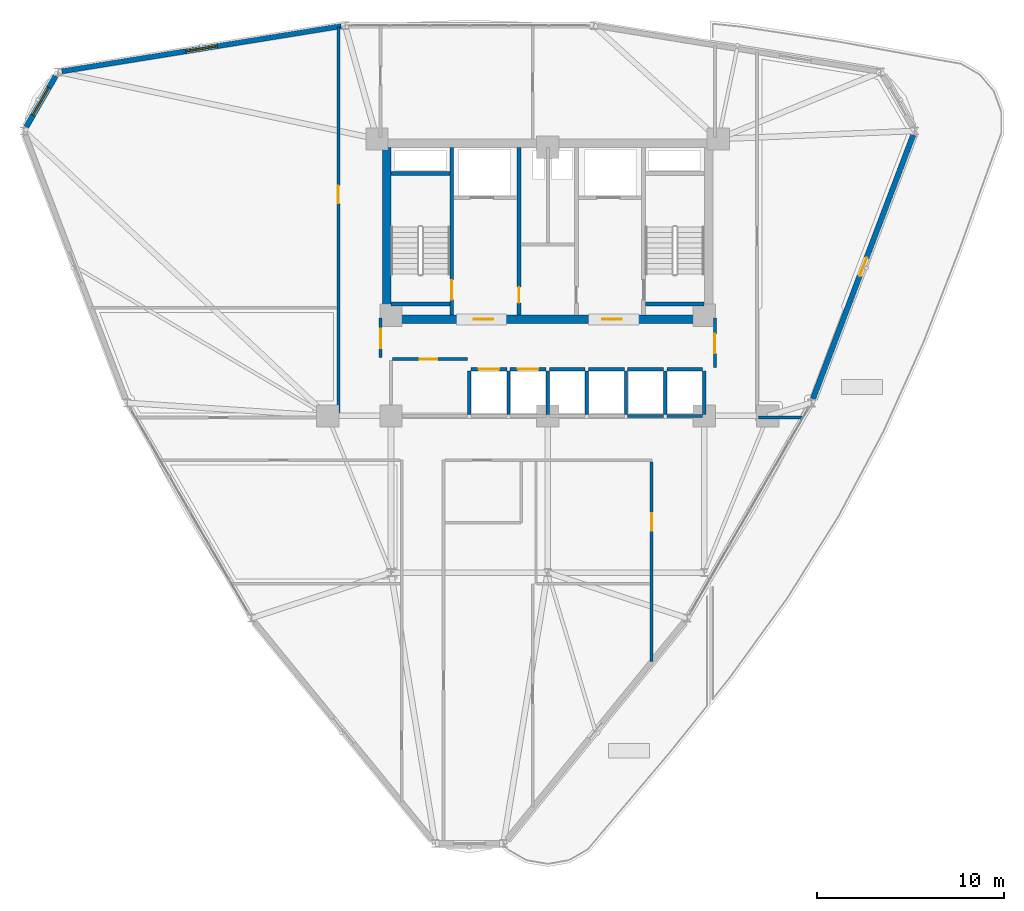
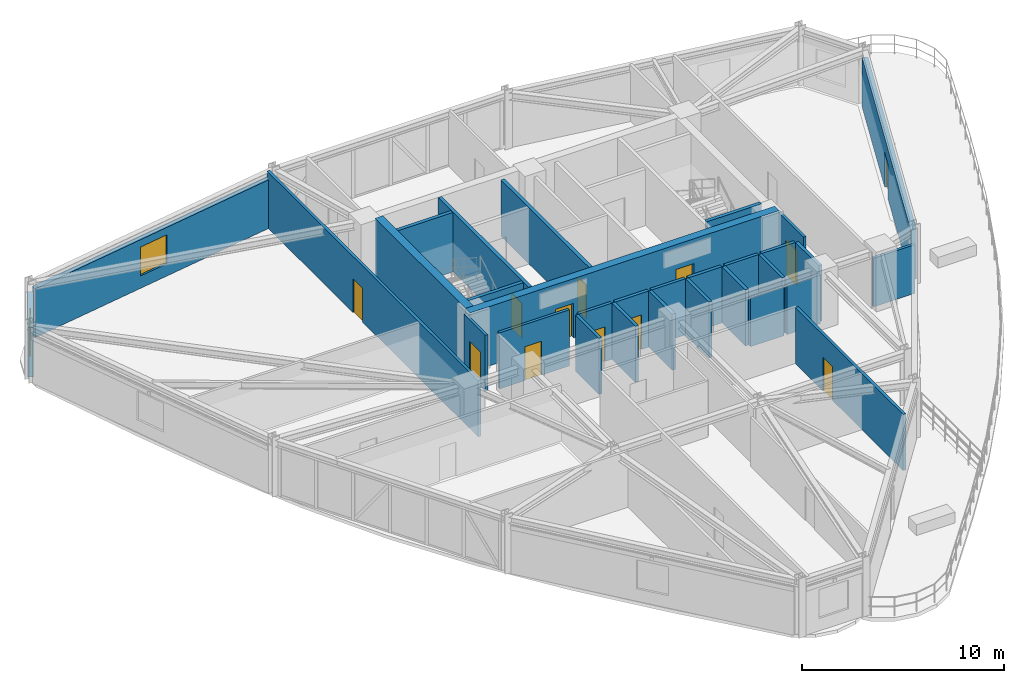
# One storey, part 13 of 18: 31 walls, 12 doors, 2 windows, 14 openings.
"""IFC4 building model written with IfcOpenShell, lengths in metres."""

import ifcopenshell
import ifcopenshell.guid

model = None  # the IFC model being written
_history = None  # IfcOwnerHistory: only IFC2X3 demands one
_inside = {}  # id of a spatial element -> (the spatial element, [elements in it])
_under = {}  # id of a project, library or spatial element -> (it, [spatial elements below it])
_declared = {}  # id of a project -> (the project, [libraries it declares])
_typed = {}  # id of a type object -> (the type object, [elements of that type])
_made_of = {}  # id of a material, layer set ... -> (it, [elements and type objects made of it])


def new_model(schema):
    """Start an empty IFC model of exactly this schema.

    Asked for "IFC4X3", IfcOpenShell would pick the latest addendum, in which some entities
    have other attributes; the version numbers below select the first issue.
    IFC2X3 requires an IfcOwnerHistory on every rooted entity: one is made here for all.
    """
    global model, _history
    if schema == "IFC4X3":
        model = ifcopenshell.file(schema_version=(4, 3, 0, 0))
    else:
        model = ifcopenshell.file(schema=schema)
    _inside.clear()
    _under.clear()
    _declared.clear()
    _typed.clear()
    _made_of.clear()
    _history = None
    if model.schema == "IFC2X3":
        org = make("IfcOrganization", Name="unknown")
        user = make(
            "IfcPersonAndOrganization",
            ThePerson=make("IfcPerson", FamilyName="unknown"),
            TheOrganization=org,
        )
        app = make(
            "IfcApplication",
            ApplicationDeveloper=org,
            Version="unknown",
            ApplicationFullName="unknown",
            ApplicationIdentifier="unknown",
        )
        _history = make(
            "IfcOwnerHistory",
            OwningUser=user,
            OwningApplication=app,
            ChangeAction="ADDED",
            CreationDate=0,
        )
    return model


def make(cls, **values):
    """One entity of the class cls with the attributes given. An attribute that is None is left unset."""
    return model.create_entity(
        cls, **{name: value for name, value in values.items() if value is not None}
    )


def rooted(cls, **values):
    """An entity with a GlobalId (a new one), such as an element, a storey or a relation."""
    return make(cls, GlobalId=ifcopenshell.guid.new(), OwnerHistory=_history, **values)


def si_unit(unit_type, name, prefix=None):
    """IfcSIUnit, for example si_unit("LENGTHUNIT", "METRE", prefix="MILLI")."""
    return make("IfcSIUnit", UnitType=unit_type, Prefix=prefix, Name=name)


def derived_unit(unit_type, elements):
    """IfcDerivedUnit: a product of units, each with its exponent."""
    return make(
        "IfcDerivedUnit",
        Elements=[
            make("IfcDerivedUnitElement", Unit=unit, Exponent=power)
            for unit, power in elements
        ],
        UnitType=unit_type,
    )


def assignment(units):
    """IfcUnitAssignment: the units of a project."""
    return None if units is None else make("IfcUnitAssignment", Units=units)


def point(xyz):
    """IfcCartesianPoint."""
    return None if xyz is None else make("IfcCartesianPoint", Coordinates=xyz)


def direction(xyz):
    """IfcDirection."""
    return None if xyz is None else make("IfcDirection", DirectionRatios=xyz)


def frame(location, z_axis=None, x_axis=None):
    """IfcAxis2Placement3D, a coordinate frame: its origin and axes. An axis left out is left unset."""
    return make(
        "IfcAxis2Placement3D",
        Location=point(location),
        Axis=direction(z_axis),
        RefDirection=direction(x_axis),
    )


def frame_2d(location, x_axis=None):
    """IfcAxis2Placement2D, a coordinate frame in the plane: its origin and x axis."""
    return make(
        "IfcAxis2Placement2D", Location=point(location), RefDirection=direction(x_axis)
    )


def origin():
    """The frame at (0, 0, 0) with its axes left unset."""
    return frame((0.0, 0.0, 0.0))


def place(relative_to, where):
    """IfcLocalPlacement: puts the frame where relative to a parent placement (None: the world)."""
    return make(
        "IfcLocalPlacement", PlacementRelTo=relative_to, RelativePlacement=where
    )


def context(
    kind, dimensions, precision=None, world=None, true_north=None, identifier=None
):
    """IfcGeometricRepresentationContext, for example the 3D "Model" context."""
    return make(
        "IfcGeometricRepresentationContext",
        ContextIdentifier=identifier,
        ContextType=kind,
        CoordinateSpaceDimension=dimensions,
        Precision=precision,
        WorldCoordinateSystem=world,
        TrueNorth=true_north,
    )


def subcontext(parent, identifier, kind, view, scale=None):
    """IfcGeometricRepresentationSubContext, for example "Body" below "Model"."""
    return make(
        "IfcGeometricRepresentationSubContext",
        ContextIdentifier=identifier,
        ContextType=kind,
        ParentContext=parent,
        TargetScale=scale,
        TargetView=view,
    )


def project(units=None, contexts=None):
    """IfcProject with its units and contexts."""
    return rooted(
        "IfcProject",
        Name="project",
        RepresentationContexts=contexts,
        UnitsInContext=assignment(units),
    )


def spatial(cls, under=None, at=None, **own):
    """A site, building, storey or space (cls), placed at a placement, below another one or the project."""
    s = rooted(cls, ObjectPlacement=at, **own)
    if under is not None:
        _under.setdefault(under.id(), (under, []))[1].append(s)
    return s


def profile(cls, at=None, kind="AREA", **sizes):
    """A parametric profile (cls). Its sizes go by their IFC names, for example OverallWidth=200.0."""
    return make(cls, ProfileType=kind, Position=at, **sizes)


def rectangle(**sizes):
    """IfcRectangleProfileDef."""
    return profile("IfcRectangleProfileDef", **sizes)


def extrude(swept, where, along, depth):
    """IfcExtrudedAreaSolid: the profile swept, set in the frame where, extruded along a direction by depth."""
    return make(
        "IfcExtrudedAreaSolid",
        SweptArea=swept,
        Position=where,
        ExtrudedDirection=direction(along),
        Depth=depth,
    )


def shape(context_of_items, identifier, shape_type, items):
    """IfcShapeRepresentation: the items that make up one representation, for example the "Body"."""
    return make(
        "IfcShapeRepresentation",
        ContextOfItems=context_of_items,
        RepresentationIdentifier=identifier,
        RepresentationType=shape_type,
        Items=items,
    )


def material(Name=None, Category=None):
    """IfcMaterial."""
    return make("IfcMaterial", Name=Name, Category=Category)


def layer(
    of_material, thickness, ventilated=None, Name=None, Category=None, Priority=None
):
    """IfcMaterialLayer: one layer of a wall or slab, of a material (None: an air gap)."""
    return make(
        "IfcMaterialLayer",
        Material=of_material,
        LayerThickness=thickness,
        IsVentilated=ventilated,
        Name=Name,
        Category=Category,
        Priority=Priority,
    )


def layer_set(layers, Name=None):
    """IfcMaterialLayerSet."""
    return make("IfcMaterialLayerSet", MaterialLayers=layers, LayerSetName=Name)


def made_of(thing, what):
    """Note that an element or type object is made of a material, layer set ...; save() writes the relation."""
    if what is not None:
        _made_of.setdefault(what.id(), (what, []))[1].append(thing)
    return thing


def type_object(cls, material=None, **own):
    """A type object (cls), such as IfcWallType, which elements share."""
    return made_of(rooted(cls, **own), material)


def element(
    cls,
    number,
    at=None,
    inside=None,
    cuts=None,
    type_object=None,
    material=None,
    context=None,
    identifier="Body",
    shape_type=None,
    held_by="IfcProductDefinitionShape",
    body=None,
    shapes=None,
    **own,
):
    """One element of the class cls, such as IfcWall. Its Tag is "e" and its number.

    at: its placement. inside: the storey or other place that contains it. cuts: it is an
    opening in that element (IfcRelVoidsElement). A single representation is given by context,
    identifier, shape_type and body (its items); several are given by shapes. held_by: the class
    of the entity that holds the representations. save() writes the other relations.
    """
    e = rooted(cls, Tag="e%d" % number, ObjectPlacement=at, **own)
    if body is not None:
        shapes = [shape(context, identifier, shape_type, body)]
    if shapes is not None:
        e.Representation = make(held_by, Representations=shapes)
    if inside is not None:
        _inside.setdefault(inside.id(), (inside, []))[1].append(e)
    if cuts is not None:
        rooted(
            "IfcRelVoidsElement", RelatingBuildingElement=cuts, RelatedOpeningElement=e
        )
    if type_object is not None:
        _typed.setdefault(type_object.id(), (type_object, []))[1].append(e)
    return made_of(e, material)


def fill(opening, filler):
    """IfcRelFillsElement: the door or window that sits in an opening."""
    return rooted(
        "IfcRelFillsElement",
        RelatingOpeningElement=opening,
        RelatedBuildingElement=filler,
    )


def aggregate(whole, parts):
    """IfcRelAggregates: a whole, such as a stair, and the parts it consists of."""
    return rooted("IfcRelAggregates", RelatingObject=whole, RelatedObjects=parts)


def save(model, path):
    """Write the relations noted so far, then the file.

    IfcRelAggregates (storeys below a building ...), IfcRelContainedInSpatialStructure (elements
    in a storey), IfcRelDefinesByType, IfcRelAssociatesMaterial and IfcRelDeclares: one each for
    every whole, place, type object, material and project.
    """
    for whole, parts in _under.values():
        aggregate(whole, parts)
    for where, things in _inside.values():
        rooted(
            "IfcRelContainedInSpatialStructure",
            RelatedElements=things,
            RelatingStructure=where,
        )
    for kind, things in _typed.values():
        rooted("IfcRelDefinesByType", RelatedObjects=things, RelatingType=kind)
    for what, things in _made_of.values():
        rooted("IfcRelAssociatesMaterial", RelatedObjects=things, RelatingMaterial=what)
    for by, libraries in _declared.values():
        rooted("IfcRelDeclares", RelatingContext=by, RelatedDefinitions=libraries)
    model.write(path)


model = new_model("IFC4")

# Units and contexts
model_context = context("Model", 3, precision=1e-05, world=origin(), true_north=direction((0.0, 1.0)))
body_context = subcontext(model_context, "Body", "Model", "MODEL_VIEW")
ifc_project = project(units=[si_unit("LENGTHUNIT", "METRE"), si_unit("AREAUNIT", "SQUARE_METRE"), si_unit("VOLUMEUNIT", "CUBIC_METRE"), si_unit("PLANEANGLEUNIT", "RADIAN"), si_unit("MASSUNIT", "GRAM", prefix="KILO"), derived_unit("THERMALTRANSMITTANCEUNIT", [(si_unit("POWERUNIT", "WATT"), 1), (si_unit("LENGTHUNIT", "METRE"), -2), (si_unit("THERMODYNAMICTEMPERATUREUNIT", "KELVIN"), -1)])], contexts=[model_context])

# Site, building, storey
site_placement = place(None, origin())
site = spatial("IfcSite", under=ifc_project, at=site_placement, CompositionType="ELEMENT")
building_placement = place(site_placement, origin())
building = spatial("IfcBuilding", under=site, at=building_placement, Name="Korsvarv Bourse and Concert Hall", CompositionType="ELEMENT")
storey_placement = place(building_placement, frame((0.0, 0.0, 136.199951171875)))
storey = spatial("IfcBuildingStorey", under=building, at=storey_placement, Name="L34", CompositionType="ELEMENT", Elevation=136.199951171875)

# Wall, opening, door
ifc_material_1 = material(Name="Concrete C50/60", Category="concrete")
ifc_layer_1 = layer(ifc_material_1, 0.3798828125)
ifc_layer_set_1 = layer_set([ifc_layer_1], Name="Concrete C50/60")
wall_type_1 = type_object("IfcWallType", Name="WL-CORE-380", PredefinedType="SHEAR", material=ifc_layer_set_1)
wall_1_placement = place(storey_placement, frame((30.860107421875, 37.81005859375, 0.0), z_axis=(0.0, 0.0, 1.0), x_axis=(0.0, 1.0, 0.0)))
wall_1 = element("IfcWall", 1, at=wall_1_placement, inside=storey, type_object=wall_type_1, Name="L34 stair shaft structural wall W-L34-ST1-E", PredefinedType="SHEAR", context=body_context, shape_type="SweptSolid", body=[
    extrude(rectangle(XDim=8.97998046875, YDim=0.199951171875, at=frame_2d((4.489990234375, 0.0))), origin(), (0.0, 0.0, 1.0), 3.60009765625),
])
opening_1_placement = place(wall_1_placement, frame((0.820068359375, 0.0, 0.0)))
opening_1 = element("IfcOpeningElement", 2, at=opening_1_placement, cuts=wall_1, Name="Opening D-01", PredefinedType="OPENING", context=body_context, shape_type="SweptSolid", body=[
    extrude(rectangle(XDim=1.050048828125, YDim=2.10009765625, at=frame_2d((0.52490234375, 1.050048828125))), frame((0.0, 0.10986328125, 0.0), z_axis=(0.0, -1.0, 0.0), x_axis=(1.0, 0.0, 0.0)), (0.0, 0.0, 1.0), 0.219970703125),
])
ifc_material_2 = material(Name="Steel S355 fire door", Category="steel")
door_type_1 = type_object("IfcDoorType", Name="DR-FD60", OperationType="NOTDEFINED", PredefinedType="DOOR", material=ifc_material_2)
door_1_placement = place(opening_1_placement, origin())
door_1 = element("IfcDoor", 3, at=door_1_placement, inside=storey, type_object=door_type_1, Name="L34 interior door DR-L34-ST1", OperationType="SINGLE_SWING_LEFT", OverallHeight=2.10009765625, OverallWidth=1.050048828125, PredefinedType="DOOR", context=body_context, shape_type="SweptSolid", body=[
    extrude(rectangle(XDim=1.050048828125, YDim=2.10009765625, at=frame_2d((0.52490234375, 1.050048828125))), frame((0.0, 0.02490234375, 0.0), z_axis=(0.0, -1.0, 0.0), x_axis=(1.0, 0.0, 0.0)), (0.0, 0.0, 1.0), 0.050048828125),
])
fill(opening_1, door_1)

# Walls
for number, where, z_axis, x_axis, name in (
    (4, (27.610107421875, 45.39990234375, 0.0), (0.0, 0.0, 1.0), (1.0, 0.0, 0.0), "L34 stair shaft structural wall W-L34-ST1-N"),
    (5, (27.610107421875, 38.39990234375, 0.0), (0.0, 0.0, 1.0), (1.0, 0.0, 0.0), "L34 stair shaft structural wall W-L34-ST1-S"),
    (6, (41.25, 38.39990234375, 0.0), (0.0, 0.0, 1.0), (1.0, 0.0, 0.0), "L34 stair shaft structural wall W-L34-ST2-S"),
):
    element("IfcWall", number, at=place(storey_placement, frame(where, z_axis=z_axis, x_axis=x_axis)), inside=storey, type_object=wall_type_1, Name=name, PredefinedType="SHEAR", context=body_context, shape_type="SweptSolid", body=[
        extrude(rectangle(XDim=3.139892578125, YDim=0.199951171875, at=frame_2d((1.56982421875, 0.0))), origin(), (0.0, 0.0, 1.0), 3.60009765625),
    ])

# Wall, openings, doors
ifc_material_3 = material(Name="Concrete C55/67", Category="concrete")
ifc_layer_2 = layer(ifc_material_3, 0.449951171875)
ifc_layer_set_2 = layer_set([ifc_layer_2], Name="Concrete C55/67")
wall_type_2 = type_object("IfcWallType", Name="WL-CORE-450", PredefinedType="SHEAR", material=ifc_layer_set_2)
wall_2_placement = place(storey_placement, frame((27.14990234375, 37.574951171875, 0.0), z_axis=(0.0, 0.0, 1.0), x_axis=(1.0, 0.0, 0.0)))
wall_2 = element("IfcWall", 7, at=wall_2_placement, inside=storey, type_object=wall_type_2, Name="L34 South Core Shear Wall", PredefinedType="SHEAR", context=body_context, shape_type="SweptSolid", body=[
    extrude(rectangle(XDim=17.7001953125, YDim=0.449951171875, at=frame_2d((8.85009765625, 0.0))), origin(), (0.0, 0.0, 1.0), 3.60009765625),
])
opening_2_placement = place(wall_2_placement, frame((4.875, 0.0, 0.0)))
opening_2 = element("IfcOpeningElement", 8, at=opening_2_placement, cuts=wall_2, Name="Opening D-01", PredefinedType="OPENING", context=body_context, shape_type="SweptSolid", body=[
    extrude(rectangle(XDim=1.050048828125, YDim=2.10009765625, at=frame_2d((0.52490234375, 1.050048828125))), frame((0.0, 0.23486328125, 0.0), z_axis=(0.0, -1.0, 0.0), x_axis=(1.0, 0.0, 0.0)), (0.0, 0.0, 1.0), 0.469970703125),
])
opening_3_placement = place(wall_2_placement, frame((11.77490234375, 0.0, 0.0)))
opening_3 = element("IfcOpeningElement", 9, at=opening_3_placement, cuts=wall_2, Name="Opening D-01", PredefinedType="OPENING", context=body_context, shape_type="SweptSolid", body=[
    extrude(rectangle(XDim=1.050048828125, YDim=2.10009765625, at=frame_2d((0.52490234375, 1.050048828125))), frame((0.0, 0.23486328125, 0.0), z_axis=(0.0, -1.0, 0.0), x_axis=(1.0, 0.0, 0.0)), (0.0, 0.0, 1.0), 0.469970703125),
])
door_2_placement = place(opening_2_placement, frame((1.050048828125, 0.0, 0.0), z_axis=(0.0, 0.0, 1.0), x_axis=(-1.0, 0.0, 0.0)))
door_2 = element("IfcDoor", 10, at=door_2_placement, inside=storey, type_object=door_type_1, Name="L34 firefighting lobby fire door DR-L34-FFLW", OperationType="SINGLE_SWING_LEFT", OverallHeight=2.10009765625, OverallWidth=1.050048828125, PredefinedType="DOOR", context=body_context, shape_type="SweptSolid", body=[
    extrude(rectangle(XDim=1.050048828125, YDim=2.10009765625, at=frame_2d((0.52490234375, 1.050048828125))), frame((0.0, 0.02490234375, 0.0), z_axis=(0.0, -1.0, 0.0), x_axis=(1.0, 0.0, 0.0)), (0.0, 0.0, 1.0), 0.050048828125),
])
fill(opening_2, door_2)
door_3_placement = place(opening_3_placement, frame((1.050048828125, 0.0, 0.0), z_axis=(0.0, 0.0, 1.0), x_axis=(-1.0, 0.0, 0.0)))
door_3 = element("IfcDoor", 11, at=door_3_placement, inside=storey, type_object=door_type_1, Name="L34 firefighting lobby fire door DR-L34-FFLE", OperationType="SINGLE_SWING_RIGHT", OverallHeight=2.10009765625, OverallWidth=1.050048828125, PredefinedType="DOOR", context=body_context, shape_type="SweptSolid", body=[
    extrude(rectangle(XDim=1.050048828125, YDim=2.10009765625, at=frame_2d((0.52490234375, 1.050048828125))), frame((0.0, 0.02490234375, 0.0), z_axis=(0.0, -1.0, 0.0), x_axis=(1.0, 0.0, 0.0)), (0.0, 0.0, 1.0), 0.050048828125),
])
fill(opening_3, door_3)

# Wall
wall_3_placement = place(storey_placement, frame((27.375, 37.800048828125, 0.0), z_axis=(0.0, 0.0, 1.0), x_axis=(0.0, 1.0, 0.0)))
element("IfcWall", 12, at=wall_3_placement, inside=storey, type_object=wall_type_2, Name="L34 West Core Shear Wall", PredefinedType="SHEAR", context=body_context, shape_type="SweptSolid", body=[
    extrude(rectangle(XDim=9.0, YDim=0.449951171875, at=frame_2d((4.5, 0.0))), origin(), (0.0, 0.0, 1.0), 3.60009765625),
])

# Wall, opening, window
ifc_material_4 = material(Name="Precast concrete C45/55 with terracotta rainscreen", Category="concrete")
ifc_layer_3 = layer(ifc_material_4, 0.300048828125)
ifc_layer_set_3 = layer_set([ifc_layer_3], Name="Precast concrete C45/55 with terracotta rainscreen")
wall_type_3 = type_object("IfcWallType", Name="WL-EXT-TC1", PredefinedType="SOLIDWALL", material=ifc_layer_set_3)
wall_4_placement = place(storey_placement, frame((9.614990234375, 50.62451171875, 0.0), z_axis=(0.0, 0.0, 1.0), x_axis=(-0.499995674689, -0.86602790099, 0.0)))
wall_4 = element("IfcWall", 13, at=wall_4_placement, inside=storey, type_object=wall_type_3, Name="L34 terracotta exterior wall EW-L34-B05", PredefinedType="SOLIDWALL", context=body_context, shape_type="SweptSolid", body=[
    extrude(rectangle(XDim=3.1455078125, YDim=0.300048828125, at=frame_2d((1.57275390625, 0.0))), origin(), (0.0, 0.0, 1.0), 3.0),
])
opening_4_placement = place(wall_4_placement, frame((0.72265625, 0.0, 0.75)))
opening_4 = element("IfcOpeningElement", 14, at=opening_4_placement, cuts=wall_4, Name="Opening W-01", PredefinedType="OPENING", context=body_context, shape_type="SweptSolid", body=[
    extrude(rectangle(XDim=1.699951171875, YDim=1.75, at=frame_2d((0.85009765625, 0.875))), frame((0.0, 0.16015625, 0.0), z_axis=(0.0, -1.0, 0.0), x_axis=(1.0, 0.0, 0.0)), (0.0, 0.0, 1.0), 0.320068359375),
])
ifc_material_5 = material(Name="Thermally broken aluminium frame with triple low-E glass", Category="glass")
window_type = type_object("IfcWindowType", Name="WIN-TW1", PartitioningType="SINGLE_PANEL", PredefinedType="WINDOW", material=ifc_material_5)
window_1_placement = place(opening_4_placement, origin())
window_1 = element("IfcWindow", 15, at=window_1_placement, inside=storey, type_object=window_type, Name="L34 punched facade window W-01", OverallHeight=1.75, OverallWidth=1.699951171875, PartitioningType="SINGLE_PANEL", PredefinedType="WINDOW", context=body_context, shape_type="SweptSolid", body=[
    extrude(rectangle(XDim=1.699951171875, YDim=1.75, at=frame_2d((0.85009765625, 0.875))), frame((0.0, 0.030029296875, 0.0), z_axis=(0.0, -1.0, 0.0), x_axis=(1.0, 0.0, 0.0)), (0.0, 0.0, 1.0), 0.06005859375),
])
fill(opening_4, window_1)

# Wall, opening, door
wall_5_placement = place(storey_placement, frame((50.230712890625, 33.324951171875, 0.0), z_axis=(0.0, 0.0, 1.0), x_axis=(0.355288039197, 0.934756871707, 0.0)))
wall_5 = element("IfcWall", 16, at=wall_5_placement, inside=storey, type_object=wall_type_3, Name="L34 terracotta exterior wall EW-L34-B12", PredefinedType="SOLIDWALL", context=body_context, shape_type="SweptSolid", body=[
    extrude(rectangle(XDim=15.116943359375, YDim=0.300048828125, at=frame_2d((7.55859375, 0.0))), origin(), (0.0, 0.0, 1.0), 3.0),
])
opening_5_placement = place(wall_5_placement, frame((7.033447265625, 0.0, 0.0)))
opening_5 = element("IfcOpeningElement", 17, at=opening_5_placement, cuts=wall_5, Name="Opening ED-02", PredefinedType="OPENING", context=body_context, shape_type="SweptSolid", body=[
    extrude(rectangle(XDim=1.050048828125, YDim=2.10009765625, at=frame_2d((0.52490234375, 1.050048828125))), frame((0.0, 0.16015625, 0.0), z_axis=(0.0, -1.0, 0.0), x_axis=(1.0, 0.0, 0.0)), (0.0, 0.0, 1.0), 0.320068359375),
])
ifc_material_6 = material(Name="Thermally broken anodised aluminium and laminated safety glass", Category="aluminium")
door_type_2 = type_object("IfcDoorType", Name="DR-EXT-TERR", OperationType="NOTDEFINED", PredefinedType="DOOR", material=ifc_material_6)
door_4_placement = place(opening_5_placement, frame((1.050048828125, 0.0, 0.0), z_axis=(0.0, 0.0, 1.0), x_axis=(-1.0, 0.0, 0.0)))
door_4 = element("IfcDoor", 18, at=door_4_placement, inside=storey, type_object=door_type_2, Name="L34 Sky Garden Terrace Access Door", OperationType="SINGLE_SWING_LEFT", OverallHeight=2.10009765625, OverallWidth=1.050048828125, PredefinedType="DOOR", context=body_context, shape_type="SweptSolid", body=[
    extrude(rectangle(XDim=1.050048828125, YDim=2.10009765625, at=frame_2d((0.52490234375, 1.050048828125))), frame((0.0, 0.02490234375, 0.0), z_axis=(0.0, -1.0, 0.0), x_axis=(1.0, 0.0, 0.0)), (0.0, 0.0, 1.0), 0.050048828125),
])
fill(opening_5, door_4)

# Wall, opening, window
ifc_material_7 = material(Name="Precast concrete C45/55 with fluted terracotta pier", Category="concrete")
ifc_layer_4 = layer(ifc_material_7, 0.280029296875)
ifc_layer_set_4 = layer_set([ifc_layer_4], Name="Precast concrete C45/55 with fluted terracotta pier")
wall_type_4 = type_object("IfcWallType", Name="WL-EXT-TC2", PredefinedType="SOLIDWALL", material=ifc_layer_set_4)
wall_6_placement = place(storey_placement, frame((24.92529296875, 53.302978515625, 0.0), z_axis=(0.0, 0.0, 1.0), x_axis=(-0.987165905884, -0.159698072185, 0.0)))
wall_6 = element("IfcWall", 19, at=wall_6_placement, inside=storey, type_object=wall_type_4, Name="L34 terracotta exterior wall EW-L34-B04", PredefinedType="SOLIDWALL", context=body_context, shape_type="SweptSolid", body=[
    extrude(rectangle(XDim=15.165283203125, YDim=0.280029296875, at=frame_2d((7.58251953125, 0.0))), origin(), (0.0, 0.0, 1.0), 2.949951171875),
])
opening_6_placement = place(wall_6_placement, frame((6.732666015625, 0.0, 0.75)))
opening_6 = element("IfcOpeningElement", 20, at=opening_6_placement, cuts=wall_6, Name="Opening W-01", PredefinedType="OPENING", context=body_context, shape_type="SweptSolid", body=[
    extrude(rectangle(XDim=1.699951171875, YDim=1.75, at=frame_2d((0.85009765625, 0.875))), frame((0.0, 0.14990234375, 0.0), z_axis=(0.0, -1.0, 0.0), x_axis=(1.0, 0.0, 0.0)), (0.0, 0.0, 1.0), 0.300048828125),
])
window_2_placement = place(opening_6_placement, origin())
window_2 = element("IfcWindow", 21, at=window_2_placement, inside=storey, type_object=window_type, Name="L34 punched facade window W-01", OverallHeight=1.75, OverallWidth=1.699951171875, PartitioningType="SINGLE_PANEL", PredefinedType="WINDOW", context=body_context, shape_type="SweptSolid", body=[
    extrude(rectangle(XDim=1.699951171875, YDim=1.75, at=frame_2d((0.85009765625, 0.875))), frame((0.0, 0.030029296875, 0.0), z_axis=(0.0, -1.0, 0.0), x_axis=(1.0, 0.0, 0.0)), (0.0, 0.0, 1.0), 0.06005859375),
])
fill(opening_6, window_2)

# Wall, opening, door
ifc_material_8 = material(Name="Reinforced concrete blockwork C35/45 fire wall", Category="concrete")
ifc_layer_5 = layer(ifc_material_8, 0.199951171875)
ifc_layer_set_5 = layer_set([ifc_layer_5], Name="Reinforced concrete blockwork C35/45 fire wall")
wall_type_5 = type_object("IfcWallType", Name="WL-INT-EI120", PredefinedType="PARTITIONING", material=ifc_layer_set_5)
wall_7_placement = place(storey_placement, frame((34.4599609375, 37.81005859375, 0.0), z_axis=(0.0, 0.0, 1.0), x_axis=(0.0, 1.0, 0.0)))
wall_7 = element("IfcWall", 22, at=wall_7_placement, inside=storey, type_object=wall_type_5, Name="L34 interior partition wall W-L34-CSB-W", PredefinedType="PARTITIONING", context=body_context, shape_type="SweptSolid", body=[
    extrude(rectangle(XDim=8.97998046875, YDim=0.199951171875, at=frame_2d((4.489990234375, 0.0))), origin(), (0.0, 0.0, 1.0), 3.400146484375),
])
opening_7_placement = place(wall_7_placement, frame((0.64990234375, 0.0, 0.0)))
opening_7 = element("IfcOpeningElement", 23, at=opening_7_placement, cuts=wall_7, Name="Opening D-05", PredefinedType="OPENING", context=body_context, shape_type="SweptSolid", body=[
    extrude(rectangle(XDim=0.85009765625, YDim=2.050048828125, at=frame_2d((0.425048828125, 1.02490234375))), frame((0.0, 0.10986328125, 0.0), z_axis=(0.0, -1.0, 0.0), x_axis=(1.0, 0.0, 0.0)), (0.0, 0.0, 1.0), 0.219970703125),
])
door_type_3 = type_object("IfcDoorType", Name="DR-FD60-850X2050", OperationType="NOTDEFINED", PredefinedType="DOOR", material=ifc_material_2)
door_5_placement = place(opening_7_placement, frame((0.85009765625, 0.0, 0.0), z_axis=(0.0, 0.0, 1.0), x_axis=(-1.0, 0.0, 0.0)))
door_5 = element("IfcDoor", 24, at=door_5_placement, inside=storey, type_object=door_type_3, Name="L34 interior door DR-L34-CSB1", OperationType="SINGLE_SWING_LEFT", OverallHeight=2.050048828125, OverallWidth=0.85009765625, PredefinedType="DOOR", context=body_context, shape_type="SweptSolid", body=[
    extrude(rectangle(XDim=0.85009765625, YDim=2.050048828125, at=frame_2d((0.425048828125, 1.02490234375))), frame((0.0, 0.02490234375, 0.0), z_axis=(0.0, -1.0, 0.0), x_axis=(1.0, 0.0, 0.0)), (0.0, 0.0, 1.0), 0.050048828125),
])
fill(opening_7, door_5)

ifc_material_9 = material(Name="Double-stud fire-rated acoustic partition", Category="gypsum")
ifc_layer_6 = layer(ifc_material_9, 0.159912109375)
ifc_layer_set_6 = layer_set([ifc_layer_6], Name="Double-stud fire-rated acoustic partition")
wall_type_6 = type_object("IfcWallType", Name="WL-INT-EI60", PredefinedType="PARTITIONING", material=ifc_layer_set_6)
wall_8_placement = place(storey_placement, frame((27.68994140625, 35.449951171875, 0.0), z_axis=(0.0, 0.0, 1.0), x_axis=(1.0, 0.0, 0.0)))
wall_8 = element("IfcWall", 25, at=wall_8_placement, inside=storey, type_object=wall_type_6, Name="L34 interior partition wall W-L34-FRD-N", PredefinedType="PARTITIONING", context=body_context, shape_type="SweptSolid", body=[
    extrude(rectangle(XDim=4.010009765625, YDim=0.159912109375, at=frame_2d((2.0048828125, 0.0))), origin(), (0.0, 0.0, 1.0), 3.400146484375),
])
opening_8_placement = place(wall_8_placement, frame((1.449951171875, 0.0, 0.0)))
opening_8 = element("IfcOpeningElement", 26, at=opening_8_placement, cuts=wall_8, Name="Opening D-03", PredefinedType="OPENING", context=body_context, shape_type="SweptSolid", body=[
    extrude(rectangle(XDim=0.949951171875, YDim=2.050048828125, at=frame_2d((0.47509765625, 1.02490234375))), frame((0.0, 0.08984375, 0.0), z_axis=(0.0, -1.0, 0.0), x_axis=(1.0, 0.0, 0.0)), (0.0, 0.0, 1.0), 0.179931640625),
])
ifc_material_10 = material(Name="Nordic oak acoustic office door", Category="wood")
door_type_4 = type_object("IfcDoorType", Name="DR-INT-1", OperationType="NOTDEFINED", PredefinedType="DOOR", material=ifc_material_10)
door_6_placement = place(opening_8_placement, origin())
door_6 = element("IfcDoor", 27, at=door_6_placement, inside=storey, type_object=door_type_4, Name="L34 interior door DR-L34-FRDN1", OperationType="SINGLE_SWING_LEFT", OverallHeight=2.050048828125, OverallWidth=0.949951171875, PredefinedType="DOOR", context=body_context, shape_type="SweptSolid", body=[
    extrude(rectangle(XDim=0.949951171875, YDim=2.050048828125, at=frame_2d((0.47509765625, 1.02490234375))), frame((0.0, 0.02490234375, 0.0), z_axis=(0.0, -1.0, 0.0), x_axis=(1.0, 0.0, 0.0)), (0.0, 0.0, 1.0), 0.050048828125),
])
fill(opening_8, door_6)

wall_9_placement = place(storey_placement, frame((27.0400390625, 35.5400390625, 0.0), z_axis=(0.0, 0.0, 1.0), x_axis=(0.0, 1.0, 0.0)))
wall_9 = element("IfcWall", 28, at=wall_9_placement, inside=storey, type_object=wall_type_6, Name="L34 interior partition wall W-L34-LOB-WL", PredefinedType="PARTITIONING", context=body_context, shape_type="SweptSolid", body=[
    extrude(rectangle(XDim=2.10986328125, YDim=0.159912109375, at=frame_2d((1.054931640625, 0.0))), origin(), (0.0, 0.0, 1.0), 3.400146484375),
])
opening_9_placement = place(wall_9_placement, frame((0.47998046875, 0.0, 0.0)))
opening_9 = element("IfcOpeningElement", 29, at=opening_9_placement, cuts=wall_9, Name="Opening D-01", PredefinedType="OPENING", context=body_context, shape_type="SweptSolid", body=[
    extrude(rectangle(XDim=1.050048828125, YDim=2.10009765625, at=frame_2d((0.52490234375, 1.050048828125))), frame((0.0, 0.08984375, 0.0), z_axis=(0.0, -1.0, 0.0), x_axis=(1.0, 0.0, 0.0)), (0.0, 0.0, 1.0), 0.179931640625),
])
door_7_placement = place(opening_9_placement, frame((1.050048828125, 0.0, 0.0), z_axis=(0.0, 0.0, 1.0), x_axis=(-1.0, 0.0, 0.0)))
door_7 = element("IfcDoor", 30, at=door_7_placement, inside=storey, type_object=door_type_1, Name="L34 interior door DR-L34-LOBW", OperationType="SINGLE_SWING_RIGHT", OverallHeight=2.10009765625, OverallWidth=1.050048828125, PredefinedType="DOOR", context=body_context, shape_type="SweptSolid", body=[
    extrude(rectangle(XDim=1.050048828125, YDim=2.10009765625, at=frame_2d((0.52490234375, 1.050048828125))), frame((0.0, 0.02490234375, 0.0), z_axis=(0.0, -1.0, 0.0), x_axis=(1.0, 0.0, 0.0)), (0.0, 0.0, 1.0), 0.050048828125),
])
fill(opening_9, door_7)

wall_10_placement = place(storey_placement, frame((44.9599609375, 35.0, 0.0), z_axis=(0.0, 0.0, 1.0), x_axis=(0.0, 1.0, 0.0)))
wall_10 = element("IfcWall", 31, at=wall_10_placement, inside=storey, type_object=wall_type_6, Name="L34 interior partition wall W-L34-LOB-E", PredefinedType="PARTITIONING", context=body_context, shape_type="SweptSolid", body=[
    extrude(rectangle(XDim=2.64990234375, YDim=0.159912109375, at=frame_2d((1.324951171875, 0.0))), origin(), (0.0, 0.0, 1.0), 3.400146484375),
])
opening_10_placement = place(wall_10_placement, frame((0.75, 0.0, 0.0)))
opening_10 = element("IfcOpeningElement", 32, at=opening_10_placement, cuts=wall_10, Name="Opening D-01", PredefinedType="OPENING", context=body_context, shape_type="SweptSolid", body=[
    extrude(rectangle(XDim=1.050048828125, YDim=2.10009765625, at=frame_2d((0.52490234375, 1.050048828125))), frame((0.0, 0.08984375, 0.0), z_axis=(0.0, -1.0, 0.0), x_axis=(1.0, 0.0, 0.0)), (0.0, 0.0, 1.0), 0.179931640625),
])
door_8_placement = place(opening_10_placement, origin())
door_8 = element("IfcDoor", 33, at=door_8_placement, inside=storey, type_object=door_type_1, Name="L34 interior door DR-L34-LOBE", OperationType="SINGLE_SWING_LEFT", OverallHeight=2.10009765625, OverallWidth=1.050048828125, PredefinedType="DOOR", context=body_context, shape_type="SweptSolid", body=[
    extrude(rectangle(XDim=1.050048828125, YDim=2.10009765625, at=frame_2d((0.52490234375, 1.050048828125))), frame((0.0, 0.02490234375, 0.0), z_axis=(0.0, -1.0, 0.0), x_axis=(1.0, 0.0, 0.0)), (0.0, 0.0, 1.0), 0.050048828125),
])
fill(opening_10, door_8)

wall_11_placement = place(storey_placement, frame((24.77490234375, 32.31005859375, 0.0), z_axis=(0.0, 0.0, 1.0), x_axis=(0.0, 1.0, 0.0)))
wall_11 = element("IfcWall", 34, at=wall_11_placement, inside=storey, type_object=wall_type_6, Name="L34 interior partition wall W-L34-TCOR-01", PredefinedType="PARTITIONING", context=body_context, shape_type="SweptSolid", body=[
    extrude(rectangle(XDim=20.948486328125, YDim=0.159912109375, at=frame_2d((10.47412109375, 0.0))), origin(), (0.0, 0.0, 1.0), 3.400146484375),
])
opening_11_placement = place(wall_11_placement, frame((11.48828125, 0.0, 0.0)))
opening_11 = element("IfcOpeningElement", 35, at=opening_11_placement, cuts=wall_11, Name="Opening D-02", PredefinedType="OPENING", context=body_context, shape_type="SweptSolid", body=[
    extrude(rectangle(XDim=0.949951171875, YDim=2.050048828125, at=frame_2d((0.47509765625, 1.02490234375))), frame((0.0, 0.08984375, 0.0), z_axis=(0.0, -1.0, 0.0), x_axis=(1.0, 0.0, 0.0)), (0.0, 0.0, 1.0), 0.179931640625),
])
ifc_material_11 = material(Name="Timber and steel acoustic fire door", Category="wood")
door_type_5 = type_object("IfcDoorType", Name="DR-FD30", OperationType="NOTDEFINED", PredefinedType="DOOR", material=ifc_material_11)
door_9_placement = place(opening_11_placement, origin())
door_9 = element("IfcDoor", 36, at=door_9_placement, inside=storey, type_object=door_type_5, Name="L34 interior door DR-L34-TCOR-MI710", OperationType="SINGLE_SWING_RIGHT", OverallHeight=2.050048828125, OverallWidth=0.949951171875, PredefinedType="DOOR", context=body_context, shape_type="SweptSolid", body=[
    extrude(rectangle(XDim=0.949951171875, YDim=2.050048828125, at=frame_2d((0.47509765625, 1.02490234375))), frame((0.0, 0.02490234375, 0.0), z_axis=(0.0, -1.0, 0.0), x_axis=(1.0, 0.0, 0.0)), (0.0, 0.0, 1.0), 0.050048828125),
])
fill(opening_11, door_9)

wall_12_placement = place(storey_placement, frame((41.574951171875, 19.24072265625, 0.0), z_axis=(0.0, 0.0, 1.0), x_axis=(0.0, 1.0, 0.0)))
wall_12 = element("IfcWall", 37, at=wall_12_placement, inside=storey, type_object=wall_type_6, Name="L34 interior partition wall W-L34-TCOR-08", PredefinedType="PARTITIONING", context=body_context, shape_type="SweptSolid", body=[
    extrude(rectangle(XDim=10.702392578125, YDim=0.159912109375, at=frame_2d((5.35107421875, 0.0))), origin(), (0.0, 0.0, 1.0), 3.400146484375),
])
opening_12_placement = place(wall_12_placement, frame((7.001953125, 0.0, 0.0)))
opening_12 = element("IfcOpeningElement", 38, at=opening_12_placement, cuts=wall_12, Name="Opening D-02", PredefinedType="OPENING", context=body_context, shape_type="SweptSolid", body=[
    extrude(rectangle(XDim=0.949951171875, YDim=2.050048828125, at=frame_2d((0.47509765625, 1.02490234375))), frame((0.0, 0.08984375, 0.0), z_axis=(0.0, -1.0, 0.0), x_axis=(1.0, 0.0, 0.0)), (0.0, 0.0, 1.0), 0.179931640625),
])
door_10_placement = place(opening_12_placement, origin())
door_10 = element("IfcDoor", 39, at=door_10_placement, inside=storey, type_object=door_type_5, Name="L34 interior door DR-L34-TCOR-MI26", OperationType="SINGLE_SWING_LEFT", OverallHeight=2.050048828125, OverallWidth=0.949951171875, PredefinedType="DOOR", context=body_context, shape_type="SweptSolid", body=[
    extrude(rectangle(XDim=0.949951171875, YDim=2.050048828125, at=frame_2d((0.47509765625, 1.02490234375))), frame((0.0, 0.02490234375, 0.0), z_axis=(0.0, -1.0, 0.0), x_axis=(1.0, 0.0, 0.0)), (0.0, 0.0, 1.0), 0.050048828125),
])
fill(opening_12, door_10)

# Wall
wall_13_placement = place(storey_placement, frame((47.306884765625, 32.31494140625, 0.0), z_axis=(0.0, 0.0, 1.0), x_axis=(1.0, 0.0, 0.0)))
element("IfcWall", 40, at=wall_13_placement, inside=storey, type_object=wall_type_6, Name="L34 interior partition wall W-L34-TCOR-11", PredefinedType="PARTITIONING", context=body_context, shape_type="SweptSolid", body=[
    extrude(rectangle(XDim=2.364501953125, YDim=0.159912109375, at=frame_2d((1.18212890625, 0.0))), origin(), (0.0, 0.0, 1.0), 2.949951171875),
])

# Wall, opening, door
ifc_material_12 = material(Name="Gypsum-clad autoclaved concrete shaft wall C30/37", Category="concrete")
ifc_layer_7 = layer(ifc_material_12, 0.179931640625)
ifc_layer_set_7 = layer_set([ifc_layer_7], Name="Gypsum-clad autoclaved concrete shaft wall C30/37")
wall_type_7 = type_object("IfcWallType", Name="WL-INT-EI90", PredefinedType="PARTITIONING", material=ifc_layer_set_7)
wall_14_placement = place(storey_placement, frame((31.889892578125, 34.89990234375, 0.0), z_axis=(0.0, 0.0, 1.0), x_axis=(1.0, 0.0, 0.0)))
wall_14 = element("IfcWall", 41, at=wall_14_placement, inside=storey, type_object=wall_type_7, Name="L34 interior partition wall W-L34-SHFN-PM1", PredefinedType="PARTITIONING", context=body_context, shape_type="SweptSolid", body=[
    extrude(rectangle(XDim=1.920166015625, YDim=0.179931640625, at=frame_2d((0.9599609375, 0.0))), origin(), (0.0, 0.0, 1.0), 3.400146484375),
])
opening_13_placement = place(wall_14_placement, frame((0.409912109375, 0.0, 0.0)))
opening_13 = element("IfcOpeningElement", 42, at=opening_13_placement, cuts=wall_14, Name="Opening LD-2", PredefinedType="OPENING", context=body_context, shape_type="SweptSolid", body=[
    extrude(rectangle(XDim=1.10009765625, YDim=2.10009765625, at=frame_2d((0.550048828125, 1.050048828125))), frame((0.0, 0.10009765625, 0.0), z_axis=(0.0, -1.0, 0.0), x_axis=(1.0, 0.0, 0.0)), (0.0, 0.0, 1.0), 0.199951171875),
])
ifc_material_13 = material(Name="Brushed stainless Steel S355 lift landing door", Category="steel")
door_type_6 = type_object("IfcDoorType", Name="DR-LIFT-P", OperationType="DOUBLE_DOOR_SLIDING", PredefinedType="DOOR", material=ifc_material_13)
door_11_placement = place(opening_13_placement, origin())
door_11 = element("IfcDoor", 43, at=door_11_placement, inside=storey, type_object=door_type_6, Name="L34 lift sliding landing door LD-L34-PM1", OperationType="DOUBLE_DOOR_SLIDING", OverallHeight=2.10009765625, OverallWidth=1.10009765625, PredefinedType="DOOR", context=body_context, shape_type="SweptSolid", body=[
    extrude(rectangle(XDim=1.10009765625, YDim=2.10009765625, at=frame_2d((0.550048828125, 1.050048828125))), frame((0.0, 0.02490234375, 0.0), z_axis=(0.0, -1.0, 0.0), x_axis=(1.0, 0.0, 0.0)), (0.0, 0.0, 1.0), 0.050048828125),
])
fill(opening_13, door_11)

# Wall
wall_15_placement = place(storey_placement, frame((31.800048828125, 32.489990234375, 0.0), z_axis=(0.0, 0.0, 1.0), x_axis=(0.0, 1.0, 0.0)))
element("IfcWall", 44, at=wall_15_placement, inside=storey, type_object=wall_type_7, Name="L34 interior partition wall W-L34-SHFW-PM1", PredefinedType="PARTITIONING", context=body_context, shape_type="SweptSolid", body=[
    extrude(rectangle(XDim=2.320068359375, YDim=0.179931640625, at=frame_2d((1.16015625, 0.0))), origin(), (0.0, 0.0, 1.0), 3.400146484375),
])

# Wall, opening, door
wall_16_placement = place(storey_placement, frame((33.989990234375, 34.89990234375, 0.0), z_axis=(0.0, 0.0, 1.0), x_axis=(1.0, 0.0, 0.0)))
wall_16 = element("IfcWall", 45, at=wall_16_placement, inside=storey, type_object=wall_type_7, Name="L34 interior partition wall W-L34-SHFN-PM2", PredefinedType="PARTITIONING", context=body_context, shape_type="SweptSolid", body=[
    extrude(rectangle(XDim=1.919921875, YDim=0.179931640625, at=frame_2d((0.9599609375, 0.0))), origin(), (0.0, 0.0, 1.0), 3.400146484375),
])
opening_14_placement = place(wall_16_placement, frame((0.409912109375, 0.0, 0.0)))
opening_14 = element("IfcOpeningElement", 46, at=opening_14_placement, cuts=wall_16, Name="Opening LD-2", PredefinedType="OPENING", context=body_context, shape_type="SweptSolid", body=[
    extrude(rectangle(XDim=1.10009765625, YDim=2.10009765625, at=frame_2d((0.550048828125, 1.050048828125))), frame((0.0, 0.10009765625, 0.0), z_axis=(0.0, -1.0, 0.0), x_axis=(1.0, 0.0, 0.0)), (0.0, 0.0, 1.0), 0.199951171875),
])
door_12_placement = place(opening_14_placement, origin())
door_12 = element("IfcDoor", 47, at=door_12_placement, inside=storey, type_object=door_type_6, Name="L34 lift sliding landing door LD-L34-PM2", OperationType="DOUBLE_DOOR_SLIDING", OverallHeight=2.10009765625, OverallWidth=1.10009765625, PredefinedType="DOOR", context=body_context, shape_type="SweptSolid", body=[
    extrude(rectangle(XDim=1.10009765625, YDim=2.10009765625, at=frame_2d((0.550048828125, 1.050048828125))), frame((0.0, 0.02490234375, 0.0), z_axis=(0.0, -1.0, 0.0), x_axis=(1.0, 0.0, 0.0)), (0.0, 0.0, 1.0), 0.050048828125),
])
fill(opening_14, door_12)

# Walls
wall_17_placement = place(storey_placement, frame((33.89990234375, 32.489990234375, 0.0), z_axis=(0.0, 0.0, 1.0), x_axis=(0.0, 1.0, 0.0)))
element("IfcWall", 48, at=wall_17_placement, inside=storey, type_object=wall_type_7, Name="L34 interior partition wall W-L34-SHFW-PM2", PredefinedType="PARTITIONING", context=body_context, shape_type="SweptSolid", body=[
    extrude(rectangle(XDim=2.320068359375, YDim=0.179931640625, at=frame_2d((1.16015625, 0.0))), origin(), (0.0, 0.0, 1.0), 3.400146484375),
])
wall_18_placement = place(storey_placement, frame((36.090087890625, 34.89990234375, 0.0), z_axis=(0.0, 0.0, 1.0), x_axis=(1.0, 0.0, 0.0)))
element("IfcWall", 49, at=wall_18_placement, inside=storey, type_object=wall_type_7, Name="L34 interior partition wall W-L34-SHFN-PH1", PredefinedType="PARTITIONING", context=body_context, shape_type="SweptSolid", body=[
    extrude(rectangle(XDim=1.919921875, YDim=0.179931640625, at=frame_2d((0.9599609375, 0.0))), origin(), (0.0, 0.0, 1.0), 3.400146484375),
])
wall_19_placement = place(storey_placement, frame((36.0, 32.489990234375, 0.0), z_axis=(0.0, 0.0, 1.0), x_axis=(0.0, 1.0, 0.0)))
element("IfcWall", 50, at=wall_19_placement, inside=storey, type_object=wall_type_7, Name="L34 interior partition wall W-L34-SHFW-PH1", PredefinedType="PARTITIONING", context=body_context, shape_type="SweptSolid", body=[
    extrude(rectangle(XDim=2.320068359375, YDim=0.179931640625, at=frame_2d((1.16015625, 0.0))), origin(), (0.0, 0.0, 1.0), 3.400146484375),
])
wall_20_placement = place(storey_placement, frame((38.18994140625, 34.89990234375, 0.0), z_axis=(0.0, 0.0, 1.0), x_axis=(1.0, 0.0, 0.0)))
element("IfcWall", 51, at=wall_20_placement, inside=storey, type_object=wall_type_7, Name="L34 interior partition wall W-L34-SHFN-PH2", PredefinedType="PARTITIONING", context=body_context, shape_type="SweptSolid", body=[
    extrude(rectangle(XDim=1.920166015625, YDim=0.179931640625, at=frame_2d((0.9599609375, 0.0))), origin(), (0.0, 0.0, 1.0), 3.400146484375),
])
wall_21_placement = place(storey_placement, frame((38.10009765625, 32.489990234375, 0.0), z_axis=(0.0, 0.0, 1.0), x_axis=(0.0, 1.0, 0.0)))
element("IfcWall", 52, at=wall_21_placement, inside=storey, type_object=wall_type_7, Name="L34 interior partition wall W-L34-SHFW-PH2", PredefinedType="PARTITIONING", context=body_context, shape_type="SweptSolid", body=[
    extrude(rectangle(XDim=2.320068359375, YDim=0.179931640625, at=frame_2d((1.16015625, 0.0))), origin(), (0.0, 0.0, 1.0), 3.400146484375),
])
wall_22_placement = place(storey_placement, frame((40.2900390625, 34.89990234375, 0.0), z_axis=(0.0, 0.0, 1.0), x_axis=(1.0, 0.0, 0.0)))
element("IfcWall", 53, at=wall_22_placement, inside=storey, type_object=wall_type_7, Name="L34 interior partition wall W-L34-SHFN-PO1", PredefinedType="PARTITIONING", context=body_context, shape_type="SweptSolid", body=[
    extrude(rectangle(XDim=1.919921875, YDim=0.179931640625, at=frame_2d((0.9599609375, 0.0))), origin(), (0.0, 0.0, 1.0), 3.400146484375),
])
wall_23_placement = place(storey_placement, frame((40.2900390625, 32.39990234375, 0.0), z_axis=(0.0, 0.0, 1.0), x_axis=(1.0, 0.0, 0.0)))
element("IfcWall", 54, at=wall_23_placement, inside=storey, type_object=wall_type_7, Name="L34 interior partition wall W-L34-SHFS-PO1", PredefinedType="PARTITIONING", context=body_context, shape_type="SweptSolid", body=[
    extrude(rectangle(XDim=1.919921875, YDim=0.179931640625, at=frame_2d((0.9599609375, 0.0))), origin(), (0.0, 0.0, 1.0), 2.949951171875),
])
wall_24_placement = place(storey_placement, frame((40.199951171875, 32.489990234375, 0.0), z_axis=(0.0, 0.0, 1.0), x_axis=(0.0, 1.0, 0.0)))
element("IfcWall", 55, at=wall_24_placement, inside=storey, type_object=wall_type_7, Name="L34 interior partition wall W-L34-SHFW-PO1", PredefinedType="PARTITIONING", context=body_context, shape_type="SweptSolid", body=[
    extrude(rectangle(XDim=2.320068359375, YDim=0.179931640625, at=frame_2d((1.16015625, 0.0))), origin(), (0.0, 0.0, 1.0), 3.400146484375),
])
wall_25_placement = place(storey_placement, frame((42.389892578125, 34.89990234375, 0.0), z_axis=(0.0, 0.0, 1.0), x_axis=(1.0, 0.0, 0.0)))
element("IfcWall", 56, at=wall_25_placement, inside=storey, type_object=wall_type_7, Name="L34 interior partition wall W-L34-SHFN-PO2", PredefinedType="PARTITIONING", context=body_context, shape_type="SweptSolid", body=[
    extrude(rectangle(XDim=1.920166015625, YDim=0.179931640625, at=frame_2d((0.9599609375, 0.0))), origin(), (0.0, 0.0, 1.0), 3.400146484375),
])
wall_26_placement = place(storey_placement, frame((42.389892578125, 32.39990234375, 0.0), z_axis=(0.0, 0.0, 1.0), x_axis=(1.0, 0.0, 0.0)))
element("IfcWall", 57, at=wall_26_placement, inside=storey, type_object=wall_type_7, Name="L34 interior partition wall W-L34-SHFS-PO2", PredefinedType="PARTITIONING", context=body_context, shape_type="SweptSolid", body=[
    extrude(rectangle(XDim=1.920166015625, YDim=0.179931640625, at=frame_2d((0.9599609375, 0.0))), origin(), (0.0, 0.0, 1.0), 2.949951171875),
])
for number, where, z_axis, x_axis, name in (
    (58, (42.300048828125, 32.489990234375, 0.0), (0.0, 0.0, 1.0), (0.0, 1.0, 0.0), "L34 interior partition wall W-L34-SHFW-PO2"),
    (59, (44.39990234375, 32.489990234375, 0.0), (0.0, 0.0, 1.0), (0.0, 1.0, 0.0), "L34 interior partition wall W-L34-SHFE-END"),
):
    element("IfcWall", number, at=place(storey_placement, frame(where, z_axis=z_axis, x_axis=x_axis)), inside=storey, type_object=wall_type_7, Name=name, PredefinedType="PARTITIONING", context=body_context, shape_type="SweptSolid", body=[
        extrude(rectangle(XDim=2.320068359375, YDim=0.179931640625, at=frame_2d((1.16015625, 0.0))), origin(), (0.0, 0.0, 1.0), 3.400146484375),
    ])

save(model, "model.ifc")
